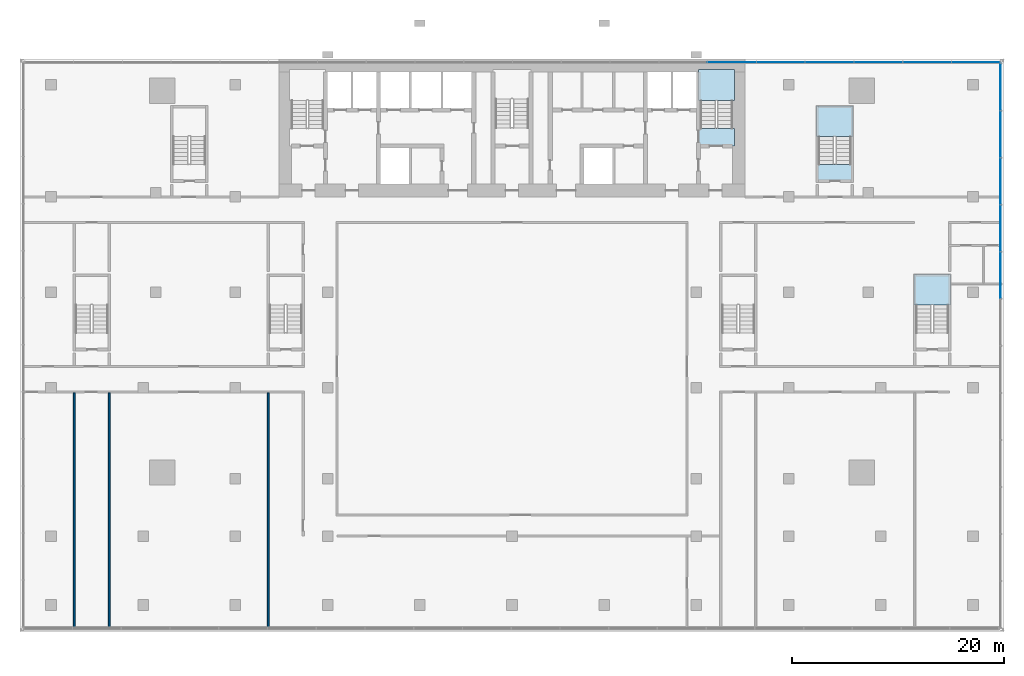
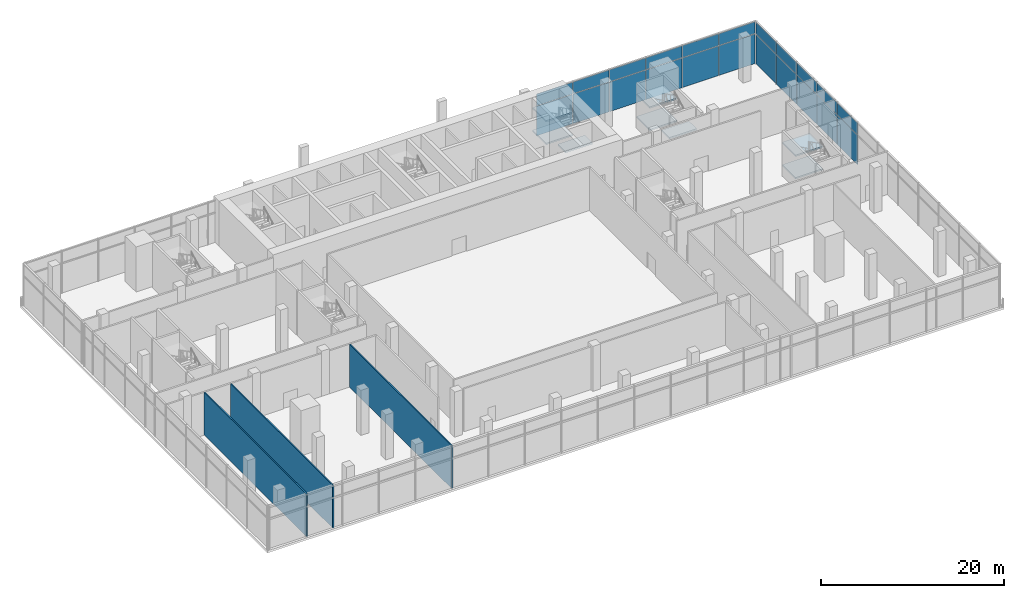
# One storey, part 11 of 21: 22 plates, 8 slabs, 3 walls, 5 elements without a shape of their own.
"""IFC4 building model written with IfcOpenShell, lengths in metres."""

import ifcopenshell
import ifcopenshell.guid

model = None  # the IFC model being written
_history = None  # IfcOwnerHistory: only IFC2X3 demands one
_inside = {}  # id of a spatial element -> (the spatial element, [elements in it])
_under = {}  # id of a project, library or spatial element -> (it, [spatial elements below it])
_declared = {}  # id of a project -> (the project, [libraries it declares])
_typed = {}  # id of a type object -> (the type object, [elements of that type])
_made_of = {}  # id of a material, layer set ... -> (it, [elements and type objects made of it])


def new_model(schema):
    """Start an empty IFC model of exactly this schema.

    Asked for "IFC4X3", IfcOpenShell would pick the latest addendum, in which some entities
    have other attributes; the version numbers below select the first issue.
    IFC2X3 requires an IfcOwnerHistory on every rooted entity: one is made here for all.
    """
    global model, _history
    if schema == "IFC4X3":
        model = ifcopenshell.file(schema_version=(4, 3, 0, 0))
    else:
        model = ifcopenshell.file(schema=schema)
    _inside.clear()
    _under.clear()
    _declared.clear()
    _typed.clear()
    _made_of.clear()
    _history = None
    if model.schema == "IFC2X3":
        org = make("IfcOrganization", Name="unknown")
        user = make(
            "IfcPersonAndOrganization",
            ThePerson=make("IfcPerson", FamilyName="unknown"),
            TheOrganization=org,
        )
        app = make(
            "IfcApplication",
            ApplicationDeveloper=org,
            Version="unknown",
            ApplicationFullName="unknown",
            ApplicationIdentifier="unknown",
        )
        _history = make(
            "IfcOwnerHistory",
            OwningUser=user,
            OwningApplication=app,
            ChangeAction="ADDED",
            CreationDate=0,
        )
    return model


def make(cls, **values):
    """One entity of the class cls with the attributes given. An attribute that is None is left unset."""
    return model.create_entity(
        cls, **{name: value for name, value in values.items() if value is not None}
    )


def rooted(cls, **values):
    """An entity with a GlobalId (a new one), such as an element, a storey or a relation."""
    return make(cls, GlobalId=ifcopenshell.guid.new(), OwnerHistory=_history, **values)


def si_unit(unit_type, name, prefix=None):
    """IfcSIUnit, for example si_unit("LENGTHUNIT", "METRE", prefix="MILLI")."""
    return make("IfcSIUnit", UnitType=unit_type, Prefix=prefix, Name=name)


def assignment(units):
    """IfcUnitAssignment: the units of a project."""
    return None if units is None else make("IfcUnitAssignment", Units=units)


def point(xyz):
    """IfcCartesianPoint."""
    return None if xyz is None else make("IfcCartesianPoint", Coordinates=xyz)


def direction(xyz):
    """IfcDirection."""
    return None if xyz is None else make("IfcDirection", DirectionRatios=xyz)


def frame(location, z_axis=None, x_axis=None):
    """IfcAxis2Placement3D, a coordinate frame: its origin and axes. An axis left out is left unset."""
    return make(
        "IfcAxis2Placement3D",
        Location=point(location),
        Axis=direction(z_axis),
        RefDirection=direction(x_axis),
    )


def frame_2d(location, x_axis=None):
    """IfcAxis2Placement2D, a coordinate frame in the plane: its origin and x axis."""
    return make(
        "IfcAxis2Placement2D", Location=point(location), RefDirection=direction(x_axis)
    )


def origin():
    """The frame at (0, 0, 0) with its axes left unset."""
    return frame((0.0, 0.0, 0.0))


def origin_2d():
    """The frame at (0, 0) in the plane with its x axis left unset."""
    return frame_2d((0.0, 0.0))


def place(relative_to, where):
    """IfcLocalPlacement: puts the frame where relative to a parent placement (None: the world)."""
    return make(
        "IfcLocalPlacement", PlacementRelTo=relative_to, RelativePlacement=where
    )


def context(
    kind, dimensions, precision=None, world=None, true_north=None, identifier=None
):
    """IfcGeometricRepresentationContext, for example the 3D "Model" context."""
    return make(
        "IfcGeometricRepresentationContext",
        ContextIdentifier=identifier,
        ContextType=kind,
        CoordinateSpaceDimension=dimensions,
        Precision=precision,
        WorldCoordinateSystem=world,
        TrueNorth=true_north,
    )


def subcontext(parent, identifier, kind, view, scale=None):
    """IfcGeometricRepresentationSubContext, for example "Body" below "Model"."""
    return make(
        "IfcGeometricRepresentationSubContext",
        ContextIdentifier=identifier,
        ContextType=kind,
        ParentContext=parent,
        TargetScale=scale,
        TargetView=view,
    )


def project(units=None, contexts=None):
    """IfcProject with its units and contexts."""
    return rooted(
        "IfcProject",
        Name="project",
        RepresentationContexts=contexts,
        UnitsInContext=assignment(units),
    )


def spatial(cls, under=None, at=None, **own):
    """A site, building, storey or space (cls), placed at a placement, below another one or the project."""
    s = rooted(cls, ObjectPlacement=at, **own)
    if under is not None:
        _under.setdefault(under.id(), (under, []))[1].append(s)
    return s


def polyline(points):
    """IfcPolyline through the points."""
    return make("IfcPolyline", Points=[point(p) for p in points])


def profile(cls, at=None, kind="AREA", **sizes):
    """A parametric profile (cls). Its sizes go by their IFC names, for example OverallWidth=200.0."""
    return make(cls, ProfileType=kind, Position=at, **sizes)


def rectangle(**sizes):
    """IfcRectangleProfileDef."""
    return profile("IfcRectangleProfileDef", **sizes)


def outline(outer, holes=None, kind="AREA"):
    """IfcArbitraryClosedProfileDef: a profile drawn as a closed curve; with holes, ...WithVoids."""
    if holes is None:
        return make("IfcArbitraryClosedProfileDef", ProfileType=kind, OuterCurve=outer)
    return make(
        "IfcArbitraryProfileDefWithVoids",
        ProfileType=kind,
        OuterCurve=outer,
        InnerCurves=holes,
    )


def extrude(swept, where, along, depth):
    """IfcExtrudedAreaSolid: the profile swept, set in the frame where, extruded along a direction by depth."""
    return make(
        "IfcExtrudedAreaSolid",
        SweptArea=swept,
        Position=where,
        ExtrudedDirection=direction(along),
        Depth=depth,
    )


def shape(context_of_items, identifier, shape_type, items):
    """IfcShapeRepresentation: the items that make up one representation, for example the "Body"."""
    return make(
        "IfcShapeRepresentation",
        ContextOfItems=context_of_items,
        RepresentationIdentifier=identifier,
        RepresentationType=shape_type,
        Items=items,
    )


def material(Name=None, Category=None):
    """IfcMaterial."""
    return make("IfcMaterial", Name=Name, Category=Category)


def layer(
    of_material, thickness, ventilated=None, Name=None, Category=None, Priority=None
):
    """IfcMaterialLayer: one layer of a wall or slab, of a material (None: an air gap)."""
    return make(
        "IfcMaterialLayer",
        Material=of_material,
        LayerThickness=thickness,
        IsVentilated=ventilated,
        Name=Name,
        Category=Category,
        Priority=Priority,
    )


def layer_set(layers, Name=None):
    """IfcMaterialLayerSet."""
    return make("IfcMaterialLayerSet", MaterialLayers=layers, LayerSetName=Name)


def made_of(thing, what):
    """Note that an element or type object is made of a material, layer set ...; save() writes the relation."""
    if what is not None:
        _made_of.setdefault(what.id(), (what, []))[1].append(thing)
    return thing


def type_object(cls, material=None, **own):
    """A type object (cls), such as IfcWallType, which elements share."""
    return made_of(rooted(cls, **own), material)


def element(
    cls,
    number,
    at=None,
    inside=None,
    cuts=None,
    type_object=None,
    material=None,
    context=None,
    identifier="Body",
    shape_type=None,
    held_by="IfcProductDefinitionShape",
    body=None,
    shapes=None,
    **own,
):
    """One element of the class cls, such as IfcWall. Its Tag is "e" and its number.

    at: its placement. inside: the storey or other place that contains it. cuts: it is an
    opening in that element (IfcRelVoidsElement). A single representation is given by context,
    identifier, shape_type and body (its items); several are given by shapes. held_by: the class
    of the entity that holds the representations. save() writes the other relations.
    """
    e = rooted(cls, Tag="e%d" % number, ObjectPlacement=at, **own)
    if body is not None:
        shapes = [shape(context, identifier, shape_type, body)]
    if shapes is not None:
        e.Representation = make(held_by, Representations=shapes)
    if inside is not None:
        _inside.setdefault(inside.id(), (inside, []))[1].append(e)
    if cuts is not None:
        rooted(
            "IfcRelVoidsElement", RelatingBuildingElement=cuts, RelatedOpeningElement=e
        )
    if type_object is not None:
        _typed.setdefault(type_object.id(), (type_object, []))[1].append(e)
    return made_of(e, material)


def aggregate(whole, parts):
    """IfcRelAggregates: a whole, such as a stair, and the parts it consists of."""
    return rooted("IfcRelAggregates", RelatingObject=whole, RelatedObjects=parts)


def save(model, path):
    """Write the relations noted so far, then the file.

    IfcRelAggregates (storeys below a building ...), IfcRelContainedInSpatialStructure (elements
    in a storey), IfcRelDefinesByType, IfcRelAssociatesMaterial and IfcRelDeclares: one each for
    every whole, place, type object, material and project.
    """
    for whole, parts in _under.values():
        aggregate(whole, parts)
    for where, things in _inside.values():
        rooted(
            "IfcRelContainedInSpatialStructure",
            RelatedElements=things,
            RelatingStructure=where,
        )
    for kind, things in _typed.values():
        rooted("IfcRelDefinesByType", RelatedObjects=things, RelatingType=kind)
    for what, things in _made_of.values():
        rooted("IfcRelAssociatesMaterial", RelatedObjects=things, RelatingMaterial=what)
    for by, libraries in _declared.values():
        rooted("IfcRelDeclares", RelatingContext=by, RelatedDefinitions=libraries)
    model.write(path)


model = new_model("IFC4")

# Units and contexts
model_context = context("Model", 3, precision=1e-05, world=origin(), true_north=direction((0.0, 1.0)))
body_context = subcontext(model_context, "Body", "Model", "MODEL_VIEW")
ifc_project = project(units=[si_unit("LENGTHUNIT", "METRE"), si_unit("AREAUNIT", "SQUARE_METRE"), si_unit("VOLUMEUNIT", "CUBIC_METRE"), si_unit("PLANEANGLEUNIT", "RADIAN"), si_unit("MASSUNIT", "GRAM", prefix="KILO")], contexts=[model_context])

# Site, building, storey
site_placement = place(None, origin())
site = spatial("IfcSite", under=ifc_project, at=site_placement, CompositionType="ELEMENT")
building_placement = place(site_placement, origin())
building = spatial("IfcBuilding", under=site, at=building_placement, Name="Bicima Exchange Tower", CompositionType="ELEMENT")
storey_placement = place(building_placement, frame((0.0, 0.0, 8.0)))
storey = spatial("IfcBuildingStorey", under=building, at=storey_placement, Name="L01", CompositionType="ELEMENT", Elevation=8.0)

# Curtain wall, plates
ifc_material_1 = material(Name="Anodised bronze aluminium", Category="aluminium")
curtain_wall_type = type_object("IfcCurtainWallType", Name="Lobby glazing", PredefinedType="NOTDEFINED", material=ifc_material_1)
curtain_wall_1_placement = place(storey_placement, origin())
curtain_wall_1 = element("IfcCurtainWall", 1, at=curtain_wall_1_placement, inside=storey, type_object=curtain_wall_type, Name="Podium glazing L01 east 1", PredefinedType="NOTDEFINED")
ifc_material_2 = material(Name="Clear low-iron glass", Category="glass")
ifc_layer_1 = layer(ifc_material_2, 0.035888671875)
ifc_layer_set_1 = layer_set([ifc_layer_1], Name="Clear low-iron glass")
plate_type = type_object("IfcPlateType", Name="Lobby glazing glass panel 36", PredefinedType="CURTAIN_PANEL", material=ifc_layer_set_1)
plate_1_placement = place(storey_placement, frame((46.10009765625, -20.39501953125, 0.0), z_axis=(0.0, 0.0, 1.0), x_axis=(0.0, 1.0, 0.0)))
plate_1 = element("IfcPlate", 2, at=plate_1_placement, type_object=plate_type, Name="Lobby glazing panel 8.1", PredefinedType="CURTAIN_PANEL", context=body_context, shape_type="SweptSolid", body=[
    extrude(rectangle(XDim=4.376708984375, YDim=0.035888671875, at=origin_2d()), origin(), (0.0, 0.0, 1.0), 3.929931640625),
])
plate_2_placement = place(storey_placement, frame((46.10009765625, -20.39501953125, 4.0), z_axis=(0.0, 0.0, 1.0), x_axis=(0.0, 1.0, 0.0)))
plate_2 = element("IfcPlate", 3, at=plate_2_placement, type_object=plate_type, Name="Lobby glazing panel 8.2", PredefinedType="CURTAIN_PANEL", context=body_context, shape_type="SweptSolid", body=[
    extrude(rectangle(XDim=4.376708984375, YDim=0.035888671875, at=origin_2d()), origin(), (0.0, 0.0, 1.0), 1.56005859375),
])
plate_3_placement = place(storey_placement, frame((46.10009765625, -15.958251953125, 0.0), z_axis=(0.0, 0.0, 1.0), x_axis=(0.0, 1.0, 0.0)))
plate_3 = element("IfcPlate", 4, at=plate_3_placement, type_object=plate_type, Name="Lobby glazing panel 9.1", PredefinedType="CURTAIN_PANEL", context=body_context, shape_type="SweptSolid", body=[
    extrude(rectangle(XDim=4.376708984375, YDim=0.035888671875, at=origin_2d()), origin(), (0.0, 0.0, 1.0), 3.929931640625),
])
plate_4_placement = place(storey_placement, frame((46.10009765625, -15.958251953125, 4.0), z_axis=(0.0, 0.0, 1.0), x_axis=(0.0, 1.0, 0.0)))
plate_4 = element("IfcPlate", 5, at=plate_4_placement, type_object=plate_type, Name="Lobby glazing panel 9.2", PredefinedType="CURTAIN_PANEL", context=body_context, shape_type="SweptSolid", body=[
    extrude(rectangle(XDim=4.376708984375, YDim=0.035888671875, at=origin_2d()), origin(), (0.0, 0.0, 1.0), 1.56005859375),
])
plate_5_placement = place(storey_placement, frame((46.10009765625, -11.521728515625, 0.0), z_axis=(0.0, 0.0, 1.0), x_axis=(0.0, 1.0, 0.0)))
plate_5 = element("IfcPlate", 6, at=plate_5_placement, type_object=plate_type, Name="Lobby glazing panel 10.1", PredefinedType="CURTAIN_PANEL", context=body_context, shape_type="SweptSolid", body=[
    extrude(rectangle(XDim=4.376708984375, YDim=0.035888671875, at=origin_2d()), origin(), (0.0, 0.0, 1.0), 3.929931640625),
])
plate_6_placement = place(storey_placement, frame((46.10009765625, -11.521728515625, 4.0), z_axis=(0.0, 0.0, 1.0), x_axis=(0.0, 1.0, 0.0)))
plate_6 = element("IfcPlate", 7, at=plate_6_placement, type_object=plate_type, Name="Lobby glazing panel 10.2", PredefinedType="CURTAIN_PANEL", context=body_context, shape_type="SweptSolid", body=[
    extrude(rectangle(XDim=4.376708984375, YDim=0.035888671875, at=origin_2d()), origin(), (0.0, 0.0, 1.0), 1.56005859375),
])
plate_7_placement = place(storey_placement, frame((46.10009765625, -7.0849609375, 0.0), z_axis=(0.0, 0.0, 1.0), x_axis=(0.0, 1.0, 0.0)))
plate_7 = element("IfcPlate", 8, at=plate_7_placement, type_object=plate_type, Name="Lobby glazing panel 11.1", PredefinedType="CURTAIN_PANEL", context=body_context, shape_type="SweptSolid", body=[
    extrude(rectangle(XDim=4.376708984375, YDim=0.035888671875, at=origin_2d()), origin(), (0.0, 0.0, 1.0), 3.929931640625),
])
plate_8_placement = place(storey_placement, frame((46.10009765625, -7.0849609375, 4.0), z_axis=(0.0, 0.0, 1.0), x_axis=(0.0, 1.0, 0.0)))
plate_8 = element("IfcPlate", 9, at=plate_8_placement, type_object=plate_type, Name="Lobby glazing panel 11.2", PredefinedType="CURTAIN_PANEL", context=body_context, shape_type="SweptSolid", body=[
    extrude(rectangle(XDim=4.376708984375, YDim=0.035888671875, at=origin_2d()), origin(), (0.0, 0.0, 1.0), 1.56005859375),
])
plate_9_placement = place(storey_placement, frame((46.10009765625, -2.648193359375, 0.0), z_axis=(0.0, 0.0, 1.0), x_axis=(0.0, 1.0, 0.0)))
plate_9 = element("IfcPlate", 10, at=plate_9_placement, type_object=plate_type, Name="Lobby glazing panel 12.1", PredefinedType="CURTAIN_PANEL", context=body_context, shape_type="SweptSolid", body=[
    extrude(rectangle(XDim=4.376708984375, YDim=0.035888671875, at=origin_2d()), origin(), (0.0, 0.0, 1.0), 3.929931640625),
])
plate_10_placement = place(storey_placement, frame((46.10009765625, -2.648193359375, 4.0), z_axis=(0.0, 0.0, 1.0), x_axis=(0.0, 1.0, 0.0)))
plate_10 = element("IfcPlate", 11, at=plate_10_placement, type_object=plate_type, Name="Lobby glazing panel 12.2", PredefinedType="CURTAIN_PANEL", context=body_context, shape_type="SweptSolid", body=[
    extrude(rectangle(XDim=4.376708984375, YDim=0.035888671875, at=origin_2d()), origin(), (0.0, 0.0, 1.0), 1.56005859375),
])
aggregate(curtain_wall_1, [plate_1, plate_2, plate_3, plate_4, plate_5, plate_6, plate_7, plate_8, plate_9, plate_10])

curtain_wall_2_placement = place(storey_placement, origin())
curtain_wall_2 = element("IfcCurtainWall", 12, at=curtain_wall_2_placement, inside=storey, type_object=curtain_wall_type, Name="Podium glazing L01 north 1", PredefinedType="NOTDEFINED")
plate_11_placement = place(storey_placement, frame((43.76904296875, -0.300048828125, 0.0), z_axis=(0.0, 0.0, 1.0), x_axis=(-1.0, 0.0, 0.0)))
plate_11 = element("IfcPlate", 13, at=plate_11_placement, type_object=plate_type, Name="Lobby glazing panel 1.1", PredefinedType="CURTAIN_PANEL", context=body_context, shape_type="SweptSolid", body=[
    extrude(rectangle(XDim=4.5419921875, YDim=0.035888671875, at=origin_2d()), origin(), (0.0, 0.0, 1.0), 3.929931640625),
])
plate_12_placement = place(storey_placement, frame((43.76904296875, -0.300048828125, 4.0), z_axis=(0.0, 0.0, 1.0), x_axis=(-1.0, 0.0, 0.0)))
plate_12 = element("IfcPlate", 14, at=plate_12_placement, type_object=plate_type, Name="Lobby glazing panel 1.2", PredefinedType="CURTAIN_PANEL", context=body_context, shape_type="SweptSolid", body=[
    extrude(rectangle(XDim=4.5419921875, YDim=0.035888671875, at=origin_2d()), origin(), (0.0, 0.0, 1.0), 1.56005859375),
])
plate_13_placement = place(storey_placement, frame((39.1669921875, -0.300048828125, 0.0), z_axis=(0.0, 0.0, 1.0), x_axis=(-1.0, 0.0, 0.0)))
plate_13 = element("IfcPlate", 15, at=plate_13_placement, type_object=plate_type, Name="Lobby glazing panel 2.1", PredefinedType="CURTAIN_PANEL", context=body_context, shape_type="SweptSolid", body=[
    extrude(rectangle(XDim=4.5419921875, YDim=0.035888671875, at=origin_2d()), origin(), (0.0, 0.0, 1.0), 3.929931640625),
])
plate_14_placement = place(storey_placement, frame((39.1669921875, -0.300048828125, 4.0), z_axis=(0.0, 0.0, 1.0), x_axis=(-1.0, 0.0, 0.0)))
plate_14 = element("IfcPlate", 16, at=plate_14_placement, type_object=plate_type, Name="Lobby glazing panel 2.2", PredefinedType="CURTAIN_PANEL", context=body_context, shape_type="SweptSolid", body=[
    extrude(rectangle(XDim=4.5419921875, YDim=0.035888671875, at=origin_2d()), origin(), (0.0, 0.0, 1.0), 1.56005859375),
])
plate_15_placement = place(storey_placement, frame((34.56494140625, -0.300048828125, 0.0), z_axis=(0.0, 0.0, 1.0), x_axis=(-1.0, 0.0, 0.0)))
plate_15 = element("IfcPlate", 17, at=plate_15_placement, type_object=plate_type, Name="Lobby glazing panel 3.1", PredefinedType="CURTAIN_PANEL", context=body_context, shape_type="SweptSolid", body=[
    extrude(rectangle(XDim=4.5419921875, YDim=0.035888671875, at=origin_2d()), origin(), (0.0, 0.0, 1.0), 3.929931640625),
])
plate_16_placement = place(storey_placement, frame((34.56494140625, -0.300048828125, 4.0), z_axis=(0.0, 0.0, 1.0), x_axis=(-1.0, 0.0, 0.0)))
plate_16 = element("IfcPlate", 18, at=plate_16_placement, type_object=plate_type, Name="Lobby glazing panel 3.2", PredefinedType="CURTAIN_PANEL", context=body_context, shape_type="SweptSolid", body=[
    extrude(rectangle(XDim=4.5419921875, YDim=0.035888671875, at=origin_2d()), origin(), (0.0, 0.0, 1.0), 1.56005859375),
])
plate_17_placement = place(storey_placement, frame((29.962890625, -0.300048828125, 0.0), z_axis=(0.0, 0.0, 1.0), x_axis=(-1.0, 0.0, 0.0)))
plate_17 = element("IfcPlate", 19, at=plate_17_placement, type_object=plate_type, Name="Lobby glazing panel 4.1", PredefinedType="CURTAIN_PANEL", context=body_context, shape_type="SweptSolid", body=[
    extrude(rectangle(XDim=4.5419921875, YDim=0.035888671875, at=origin_2d()), origin(), (0.0, 0.0, 1.0), 3.929931640625),
])
plate_18_placement = place(storey_placement, frame((29.962890625, -0.300048828125, 4.0), z_axis=(0.0, 0.0, 1.0), x_axis=(-1.0, 0.0, 0.0)))
plate_18 = element("IfcPlate", 20, at=plate_18_placement, type_object=plate_type, Name="Lobby glazing panel 4.2", PredefinedType="CURTAIN_PANEL", context=body_context, shape_type="SweptSolid", body=[
    extrude(rectangle(XDim=4.5419921875, YDim=0.035888671875, at=origin_2d()), origin(), (0.0, 0.0, 1.0), 1.56005859375),
])
plate_19_placement = place(storey_placement, frame((25.361083984375, -0.300048828125, 0.0), z_axis=(0.0, 0.0, 1.0), x_axis=(-1.0, 0.0, 0.0)))
plate_19 = element("IfcPlate", 21, at=plate_19_placement, type_object=plate_type, Name="Lobby glazing panel 5.1", PredefinedType="CURTAIN_PANEL", context=body_context, shape_type="SweptSolid", body=[
    extrude(rectangle(XDim=4.5419921875, YDim=0.035888671875, at=origin_2d()), origin(), (0.0, 0.0, 1.0), 3.929931640625),
])
plate_20_placement = place(storey_placement, frame((25.361083984375, -0.300048828125, 4.0), z_axis=(0.0, 0.0, 1.0), x_axis=(-1.0, 0.0, 0.0)))
plate_20 = element("IfcPlate", 22, at=plate_20_placement, type_object=plate_type, Name="Lobby glazing panel 5.2", PredefinedType="CURTAIN_PANEL", context=body_context, shape_type="SweptSolid", body=[
    extrude(rectangle(XDim=4.5419921875, YDim=0.035888671875, at=origin_2d()), origin(), (0.0, 0.0, 1.0), 1.56005859375),
])
plate_21_placement = place(storey_placement, frame((20.759033203125, -0.300048828125, 0.0), z_axis=(0.0, 0.0, 1.0), x_axis=(-1.0, 0.0, 0.0)))
plate_21 = element("IfcPlate", 23, at=plate_21_placement, type_object=plate_type, Name="Lobby glazing panel 6.1", PredefinedType="CURTAIN_PANEL", context=body_context, shape_type="SweptSolid", body=[
    extrude(rectangle(XDim=4.5419921875, YDim=0.035888671875, at=origin_2d()), origin(), (0.0, 0.0, 1.0), 3.929931640625),
])
plate_22_placement = place(storey_placement, frame((20.759033203125, -0.300048828125, 4.0), z_axis=(0.0, 0.0, 1.0), x_axis=(-1.0, 0.0, 0.0)))
plate_22 = element("IfcPlate", 24, at=plate_22_placement, type_object=plate_type, Name="Lobby glazing panel 6.2", PredefinedType="CURTAIN_PANEL", context=body_context, shape_type="SweptSolid", body=[
    extrude(rectangle(XDim=4.5419921875, YDim=0.035888671875, at=origin_2d()), origin(), (0.0, 0.0, 1.0), 1.56005859375),
])
aggregate(curtain_wall_2, [plate_11, plate_12, plate_13, plate_14, plate_15, plate_16, plate_17, plate_18, plate_19, plate_20, plate_21, plate_22])

# Stair, slabs
ifc_material_3 = material(Name="Concrete C50/60", Category="concrete")
stair_type = type_object("IfcStairType", Name="Exit stair", PredefinedType="HALF_TURN_STAIR", material=ifc_material_3)
stair_1_placement = place(storey_placement, origin())
stair_1 = element("IfcStair", 25, at=stair_1_placement, inside=storey, type_object=stair_type, Name="L01 East exit stair", PredefinedType="HALF_TURN_STAIR")
ifc_layer_2 = layer(ifc_material_3, 0.199951171875)
ifc_layer_set_2 = layer_set([ifc_layer_2], Name="Concrete C50/60")
slab_type = type_object("IfcSlabType", Name="Stair landing slab", PredefinedType="LANDING", material=ifc_layer_set_2)
slab_1_placement = place(storey_placement, frame((0.0, 0.0, 1.300048828125)))
slab_1 = element("IfcSlab", 26, at=slab_1_placement, type_object=slab_type, Name="ST-E landing 1", PredefinedType="LANDING", context=body_context, shape_type="SweptSolid", body=[
    extrude(outline(polyline([(21.0, -3.919921875), (21.0, -1.0), (17.60009765625, -1.0), (17.60009765625, -3.919921875), (21.0, -3.919921875)])), origin(), (0.0, 0.0, 1.0), 0.199951171875),
])
slab_2_placement = place(storey_placement, frame((0.0, 0.0, 2.800048828125)))
slab_2 = element("IfcSlab", 27, at=slab_2_placement, type_object=slab_type, Name="ST-E landing 2", PredefinedType="LANDING", context=body_context, shape_type="SweptSolid", body=[
    extrude(outline(polyline([(21.0, -8.199951171875), (21.0, -6.550048828125), (17.60009765625, -6.550048828125), (17.60009765625, -8.199951171875), (21.0, -8.199951171875)])), origin(), (0.0, 0.0, 1.0), 0.199951171875),
])
slab_3_placement = place(storey_placement, frame((0.0, 0.0, 4.300048828125)))
slab_3 = element("IfcSlab", 28, at=slab_3_placement, type_object=slab_type, Name="ST-E landing 3", PredefinedType="LANDING", context=body_context, shape_type="SweptSolid", body=[
    extrude(outline(polyline([(21.0, -3.919921875), (21.0, -1.0), (17.60009765625, -1.0), (17.60009765625, -3.919921875), (21.0, -3.919921875)])), origin(), (0.0, 0.0, 1.0), 0.199951171875),
])
aggregate(stair_1, [slab_1, slab_2, slab_3])

stair_2_placement = place(storey_placement, origin())
stair_2 = element("IfcStair", 29, at=stair_2_placement, inside=storey, type_object=stair_type, Name="L01 East end exit stair", PredefinedType="HALF_TURN_STAIR")
slab_4_placement = place(storey_placement, frame((0.0, 0.0, 1.300048828125)))
slab_4 = element("IfcSlab", 30, at=slab_4_placement, type_object=slab_type, Name="ST-EE landing 1", PredefinedType="LANDING", context=body_context, shape_type="SweptSolid", body=[
    extrude(outline(polyline([(32.175048828125, -7.294921875), (32.175048828125, -4.425048828125), (28.72509765625, -4.425048828125), (28.72509765625, -7.294921875), (32.175048828125, -7.294921875)])), origin(), (0.0, 0.0, 1.0), 0.199951171875),
])
slab_5_placement = place(storey_placement, frame((0.0, 0.0, 2.800048828125)))
slab_5 = element("IfcSlab", 31, at=slab_5_placement, type_object=slab_type, Name="ST-EE landing 2", PredefinedType="LANDING", context=body_context, shape_type="SweptSolid", body=[
    extrude(outline(polyline([(32.175048828125, -11.574951171875), (32.175048828125, -9.925048828125), (28.72509765625, -9.925048828125), (28.72509765625, -11.574951171875), (32.175048828125, -11.574951171875)])), origin(), (0.0, 0.0, 1.0), 0.199951171875),
])
slab_6_placement = place(storey_placement, frame((0.0, 0.0, 4.300048828125)))
slab_6 = element("IfcSlab", 32, at=slab_6_placement, type_object=slab_type, Name="ST-EE landing 3", PredefinedType="LANDING", context=body_context, shape_type="SweptSolid", body=[
    extrude(outline(polyline([(32.175048828125, -7.294921875), (32.175048828125, -4.425048828125), (28.72509765625, -4.425048828125), (28.72509765625, -7.294921875), (32.175048828125, -7.294921875)])), origin(), (0.0, 0.0, 1.0), 0.199951171875),
])
aggregate(stair_2, [slab_4, slab_5, slab_6])

stair_3_placement = place(storey_placement, origin())
stair_3 = element("IfcStair", 33, at=stair_3_placement, inside=storey, type_object=stair_type, Name="L01 Podium east stair", PredefinedType="HALF_TURN_STAIR")
slab_7_placement = place(storey_placement, frame((0.0, 0.0, 1.300048828125)))
slab_7 = element("IfcSlab", 34, at=slab_7_placement, type_object=slab_type, Name="PS-E landing 1", PredefinedType="LANDING", context=body_context, shape_type="SweptSolid", body=[
    extrude(outline(polyline([(41.375, -23.195068359375), (41.375, -20.324951171875), (37.925048828125, -20.324951171875), (37.925048828125, -23.195068359375), (41.375, -23.195068359375)])), origin(), (0.0, 0.0, 1.0), 0.199951171875),
])
slab_8_placement = place(storey_placement, frame((0.0, 0.0, 4.300048828125)))
slab_8 = element("IfcSlab", 35, at=slab_8_placement, type_object=slab_type, Name="PS-E landing 3", PredefinedType="LANDING", context=body_context, shape_type="SweptSolid", body=[
    extrude(outline(polyline([(41.375, -23.195068359375), (41.375, -20.324951171875), (37.925048828125, -20.324951171875), (37.925048828125, -23.195068359375), (41.375, -23.195068359375)])), origin(), (0.0, 0.0, 1.0), 0.199951171875),
])
aggregate(stair_3, [slab_7, slab_8])

# Walls
ifc_material_4 = material(Name="Gypsum board partition")
ifc_layer_3 = layer(ifc_material_4, 0.14990234375)
ifc_layer_set_3 = layer_set([ifc_layer_3], Name="Gypsum board partition")
wall_type = type_object("IfcWallType", Name="Gypsum partition 150", PredefinedType="PARTITIONING", material=ifc_layer_set_3)
for number, where, z_axis, x_axis, name in (
    (36, (-41.300048828125, -53.7900390625, 0.0), (0.0, 0.0, 1.0), (0.0, 1.0, 0.0), "partition wall 29"),
    (37, (-38.0, -53.7900390625, 0.0), (0.0, 0.0, 1.0), (0.0, 1.0, 0.0), "partition wall 31"),
    (38, (-23.0, -53.7900390625, 0.0), (0.0, 0.0, 1.0), (0.0, 1.0, 0.0), "partition wall 35"),
):
    element("IfcWall", number, at=place(storey_placement, frame(where, z_axis=z_axis, x_axis=x_axis)), inside=storey, type_object=wall_type, Name=name, PredefinedType="PARTITIONING", context=body_context, shape_type="SweptSolid", body=[
        extrude(rectangle(XDim=22.2900390625, YDim=0.14990234375, at=frame_2d((11.14501953125, 0.0))), origin(), (0.0, 0.0, 1.0), 5.699951171875),
    ])

save(model, "model.ifc")
